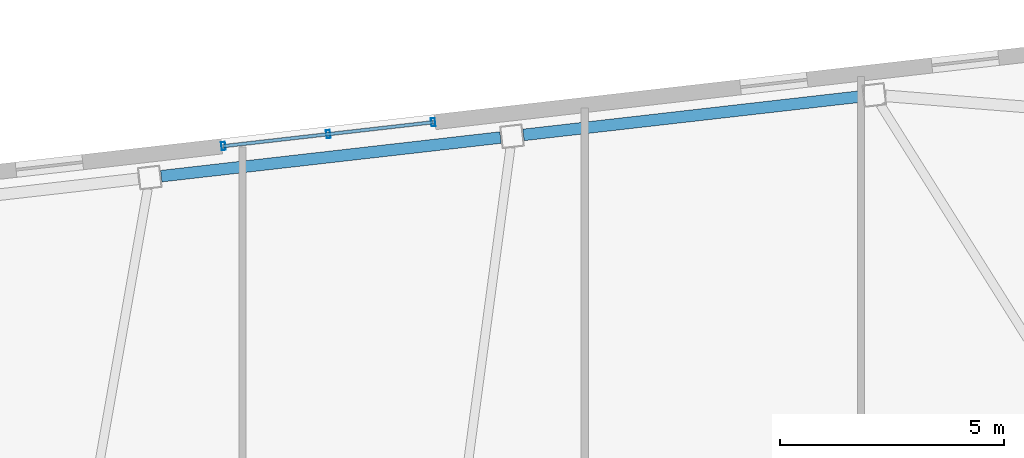
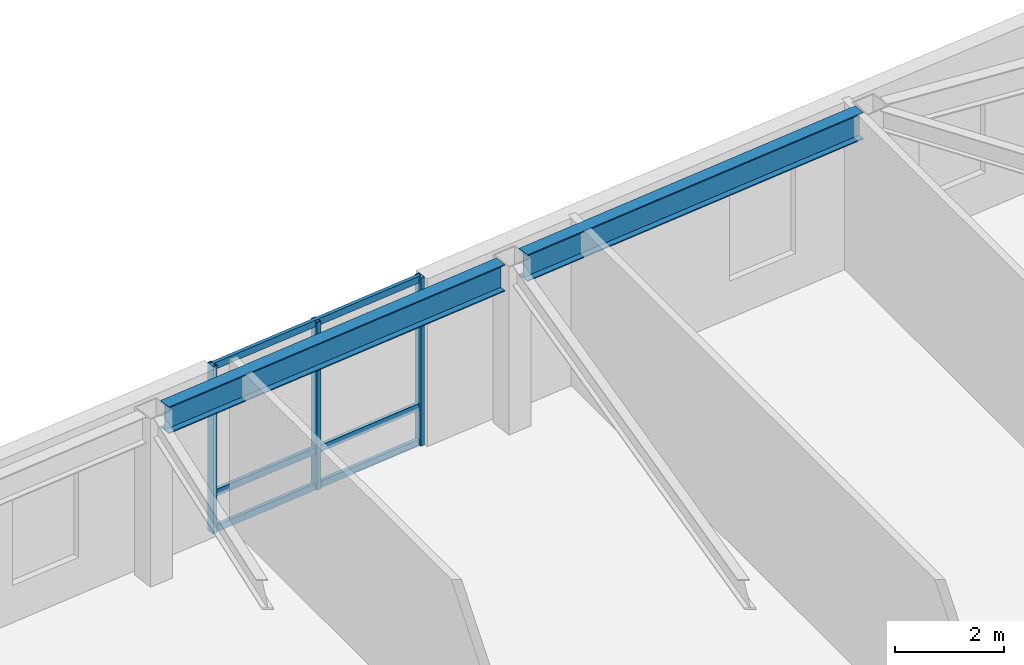
# One storey, part 10 of 19: 6 members, 2 beams, 1 element without a shape of its own.
"""IFC4 building model written with IfcOpenShell, lengths in metres."""

import ifcopenshell
import ifcopenshell.guid

model = None  # the IFC model being written
_history = None  # IfcOwnerHistory: only IFC2X3 demands one
_inside = {}  # id of a spatial element -> (the spatial element, [elements in it])
_under = {}  # id of a project, library or spatial element -> (it, [spatial elements below it])
_declared = {}  # id of a project -> (the project, [libraries it declares])
_typed = {}  # id of a type object -> (the type object, [elements of that type])
_made_of = {}  # id of a material, layer set ... -> (it, [elements and type objects made of it])


def new_model(schema):
    """Start an empty IFC model of exactly this schema.

    Asked for "IFC4X3", IfcOpenShell would pick the latest addendum, in which some entities
    have other attributes; the version numbers below select the first issue.
    IFC2X3 requires an IfcOwnerHistory on every rooted entity: one is made here for all.
    """
    global model, _history
    if schema == "IFC4X3":
        model = ifcopenshell.file(schema_version=(4, 3, 0, 0))
    else:
        model = ifcopenshell.file(schema=schema)
    _inside.clear()
    _under.clear()
    _declared.clear()
    _typed.clear()
    _made_of.clear()
    _history = None
    if model.schema == "IFC2X3":
        org = make("IfcOrganization", Name="unknown")
        user = make(
            "IfcPersonAndOrganization",
            ThePerson=make("IfcPerson", FamilyName="unknown"),
            TheOrganization=org,
        )
        app = make(
            "IfcApplication",
            ApplicationDeveloper=org,
            Version="unknown",
            ApplicationFullName="unknown",
            ApplicationIdentifier="unknown",
        )
        _history = make(
            "IfcOwnerHistory",
            OwningUser=user,
            OwningApplication=app,
            ChangeAction="ADDED",
            CreationDate=0,
        )
    return model


def make(cls, **values):
    """One entity of the class cls with the attributes given. An attribute that is None is left unset."""
    return model.create_entity(
        cls, **{name: value for name, value in values.items() if value is not None}
    )


def rooted(cls, **values):
    """An entity with a GlobalId (a new one), such as an element, a storey or a relation."""
    return make(cls, GlobalId=ifcopenshell.guid.new(), OwnerHistory=_history, **values)


def si_unit(unit_type, name, prefix=None):
    """IfcSIUnit, for example si_unit("LENGTHUNIT", "METRE", prefix="MILLI")."""
    return make("IfcSIUnit", UnitType=unit_type, Prefix=prefix, Name=name)


def assignment(units):
    """IfcUnitAssignment: the units of a project."""
    return None if units is None else make("IfcUnitAssignment", Units=units)


def point(xyz):
    """IfcCartesianPoint."""
    return None if xyz is None else make("IfcCartesianPoint", Coordinates=xyz)


def direction(xyz):
    """IfcDirection."""
    return None if xyz is None else make("IfcDirection", DirectionRatios=xyz)


def frame(location, z_axis=None, x_axis=None):
    """IfcAxis2Placement3D, a coordinate frame: its origin and axes. An axis left out is left unset."""
    return make(
        "IfcAxis2Placement3D",
        Location=point(location),
        Axis=direction(z_axis),
        RefDirection=direction(x_axis),
    )


def frame_2d(location, x_axis=None):
    """IfcAxis2Placement2D, a coordinate frame in the plane: its origin and x axis."""
    return make(
        "IfcAxis2Placement2D", Location=point(location), RefDirection=direction(x_axis)
    )


def origin():
    """The frame at (0, 0, 0) with its axes left unset."""
    return frame((0.0, 0.0, 0.0))


def origin_2d():
    """The frame at (0, 0) in the plane with its x axis left unset."""
    return frame_2d((0.0, 0.0))


def place(relative_to, where):
    """IfcLocalPlacement: puts the frame where relative to a parent placement (None: the world)."""
    return make(
        "IfcLocalPlacement", PlacementRelTo=relative_to, RelativePlacement=where
    )


def context(
    kind, dimensions, precision=None, world=None, true_north=None, identifier=None
):
    """IfcGeometricRepresentationContext, for example the 3D "Model" context."""
    return make(
        "IfcGeometricRepresentationContext",
        ContextIdentifier=identifier,
        ContextType=kind,
        CoordinateSpaceDimension=dimensions,
        Precision=precision,
        WorldCoordinateSystem=world,
        TrueNorth=true_north,
    )


def subcontext(parent, identifier, kind, view, scale=None):
    """IfcGeometricRepresentationSubContext, for example "Body" below "Model"."""
    return make(
        "IfcGeometricRepresentationSubContext",
        ContextIdentifier=identifier,
        ContextType=kind,
        ParentContext=parent,
        TargetScale=scale,
        TargetView=view,
    )


def project(units=None, contexts=None):
    """IfcProject with its units and contexts."""
    return rooted(
        "IfcProject",
        Name="project",
        RepresentationContexts=contexts,
        UnitsInContext=assignment(units),
    )


def spatial(cls, under=None, at=None, **own):
    """A site, building, storey or space (cls), placed at a placement, below another one or the project."""
    s = rooted(cls, ObjectPlacement=at, **own)
    if under is not None:
        _under.setdefault(under.id(), (under, []))[1].append(s)
    return s


def profile(cls, at=None, kind="AREA", **sizes):
    """A parametric profile (cls). Its sizes go by their IFC names, for example OverallWidth=200.0."""
    return make(cls, ProfileType=kind, Position=at, **sizes)


def hollow_rectangle(**sizes):
    """IfcRectangleHollowProfileDef."""
    return profile("IfcRectangleHollowProfileDef", **sizes)


def i_section(**sizes):
    """IfcIShapeProfileDef."""
    return profile("IfcIShapeProfileDef", **sizes)


def extrude(swept, where, along, depth):
    """IfcExtrudedAreaSolid: the profile swept, set in the frame where, extruded along a direction by depth."""
    return make(
        "IfcExtrudedAreaSolid",
        SweptArea=swept,
        Position=where,
        ExtrudedDirection=direction(along),
        Depth=depth,
    )


def shape(context_of_items, identifier, shape_type, items):
    """IfcShapeRepresentation: the items that make up one representation, for example the "Body"."""
    return make(
        "IfcShapeRepresentation",
        ContextOfItems=context_of_items,
        RepresentationIdentifier=identifier,
        RepresentationType=shape_type,
        Items=items,
    )


def material(Name=None, Category=None):
    """IfcMaterial."""
    return make("IfcMaterial", Name=Name, Category=Category)


def layer(
    of_material, thickness, ventilated=None, Name=None, Category=None, Priority=None
):
    """IfcMaterialLayer: one layer of a wall or slab, of a material (None: an air gap)."""
    return make(
        "IfcMaterialLayer",
        Material=of_material,
        LayerThickness=thickness,
        IsVentilated=ventilated,
        Name=Name,
        Category=Category,
        Priority=Priority,
    )


def layer_set(layers, Name=None):
    """IfcMaterialLayerSet."""
    return make("IfcMaterialLayerSet", MaterialLayers=layers, LayerSetName=Name)


def material_profile(
    of_material, cross_section, Name=None, Category=None, Priority=None
):
    """IfcMaterialProfile: a cross section and its material."""
    return make(
        "IfcMaterialProfile",
        Name=Name,
        Material=of_material,
        Profile=cross_section,
        Priority=Priority,
        Category=Category,
    )


def profile_set(profiles, Name=None, composite=None):
    """IfcMaterialProfileSet."""
    return make(
        "IfcMaterialProfileSet",
        Name=Name,
        MaterialProfiles=profiles,
        CompositeProfile=composite,
    )


def made_of(thing, what):
    """Note that an element or type object is made of a material, layer set ...; save() writes the relation."""
    if what is not None:
        _made_of.setdefault(what.id(), (what, []))[1].append(thing)
    return thing


def type_object(cls, material=None, **own):
    """A type object (cls), such as IfcWallType, which elements share."""
    return made_of(rooted(cls, **own), material)


def element(
    cls,
    number,
    at=None,
    inside=None,
    cuts=None,
    type_object=None,
    material=None,
    context=None,
    identifier="Body",
    shape_type=None,
    held_by="IfcProductDefinitionShape",
    body=None,
    shapes=None,
    **own,
):
    """One element of the class cls, such as IfcWall. Its Tag is "e" and its number.

    at: its placement. inside: the storey or other place that contains it. cuts: it is an
    opening in that element (IfcRelVoidsElement). A single representation is given by context,
    identifier, shape_type and body (its items); several are given by shapes. held_by: the class
    of the entity that holds the representations. save() writes the other relations.
    """
    e = rooted(cls, Tag="e%d" % number, ObjectPlacement=at, **own)
    if body is not None:
        shapes = [shape(context, identifier, shape_type, body)]
    if shapes is not None:
        e.Representation = make(held_by, Representations=shapes)
    if inside is not None:
        _inside.setdefault(inside.id(), (inside, []))[1].append(e)
    if cuts is not None:
        rooted(
            "IfcRelVoidsElement", RelatingBuildingElement=cuts, RelatedOpeningElement=e
        )
    if type_object is not None:
        _typed.setdefault(type_object.id(), (type_object, []))[1].append(e)
    return made_of(e, material)


def aggregate(whole, parts):
    """IfcRelAggregates: a whole, such as a stair, and the parts it consists of."""
    return rooted("IfcRelAggregates", RelatingObject=whole, RelatedObjects=parts)


def save(model, path):
    """Write the relations noted so far, then the file.

    IfcRelAggregates (storeys below a building ...), IfcRelContainedInSpatialStructure (elements
    in a storey), IfcRelDefinesByType, IfcRelAssociatesMaterial and IfcRelDeclares: one each for
    every whole, place, type object, material and project.
    """
    for whole, parts in _under.values():
        aggregate(whole, parts)
    for where, things in _inside.values():
        rooted(
            "IfcRelContainedInSpatialStructure",
            RelatedElements=things,
            RelatingStructure=where,
        )
    for kind, things in _typed.values():
        rooted("IfcRelDefinesByType", RelatedObjects=things, RelatingType=kind)
    for what, things in _made_of.values():
        rooted("IfcRelAssociatesMaterial", RelatedObjects=things, RelatingMaterial=what)
    for by, libraries in _declared.values():
        rooted("IfcRelDeclares", RelatingContext=by, RelatedDefinitions=libraries)
    model.write(path)


model = new_model("IFC4")

# Units and contexts
model_context = context("Model", 3, precision=1e-05, world=origin(), true_north=direction((0.0, 1.0)))
body_context = subcontext(model_context, "Body", "Model", "MODEL_VIEW")
ifc_project = project(units=[si_unit("LENGTHUNIT", "METRE"), si_unit("AREAUNIT", "SQUARE_METRE"), si_unit("VOLUMEUNIT", "CUBIC_METRE"), si_unit("PLANEANGLEUNIT", "RADIAN"), si_unit("MASSUNIT", "GRAM", prefix="KILO")], contexts=[model_context])

# Site, building, storey
site_placement = place(None, origin())
site = spatial("IfcSite", under=ifc_project, at=site_placement, CompositionType="ELEMENT")
building_placement = place(site_placement, origin())
building = spatial("IfcBuilding", under=site, at=building_placement, Name="Tavrogorsk Clinical Tower", CompositionType="ELEMENT")
storey_placement = place(building_placement, frame((0.0, 0.0, 255.0)))
storey = spatial("IfcBuildingStorey", under=building, at=storey_placement, Name="L59", CompositionType="ELEMENT", Elevation=255.0)

# Curtain wall, members
ifc_material_1 = material(Name="Anodised aluminium and triple IGU glazing", Category="aluminium")
ifc_layer = layer(ifc_material_1, 0.179931640625)
ifc_layer_set = layer_set([ifc_layer], Name="Anodised aluminium and triple IGU glazing")
curtain_wall_type = type_object("IfcCurtainWallType", Name="CW2_NorthSlot", PredefinedType="NOTDEFINED", material=ifc_layer_set)
curtain_wall_placement = place(storey_placement, origin())
curtain_wall = element("IfcCurtainWall", 1, at=curtain_wall_placement, inside=storey, type_object=curtain_wall_type, Name="L59 Curtain Wall CW-L59-N-SLOT-2", PredefinedType="NOTDEFINED")
ifc_material_2 = material(Name="Anodised aluminium alloy AW-6060", Category="aluminium")
ifc_material_profile_1 = material_profile(ifc_material_2, hollow_rectangle(XDim=0.090087890625, YDim=0.179931640625, WallThickness=0.00634765625, at=origin_2d()), Name="RHS-180x90x6.3")
ifc_profile_set_1 = profile_set([ifc_material_profile_1], Name="Anodised aluminium alloy AW-6060")
member_type_1 = type_object("IfcMemberType", Name="CwMullion_180x90", PredefinedType="MULLION", material=ifc_profile_set_1)
member_1_placement = place(storey_placement, frame((5.410400390625, 27.270263671875, 0.0), z_axis=(0.0, 0.0, 1.0), x_axis=(-0.993571855603, -0.11320321441, 0.0)))
member_1 = element("IfcMember", 2, at=member_1_placement, type_object=member_type_1, Name="CW-L59-N-SLOT-2 Mullion 1", PredefinedType="MULLION", context=body_context, shape_type="SweptSolid", body=[
    extrude(hollow_rectangle(XDim=0.090087890625, YDim=0.179931640625, WallThickness=0.00634765625, at=origin_2d()), origin(), (0.0, 0.0, 1.0), 3.739990234375),
])
member_2_placement = place(storey_placement, frame((3.06640625, 27.003173828125, 0.0), z_axis=(0.0, 0.0, 1.0), x_axis=(-0.993571855603, -0.11320321441, 0.0)))
member_2 = element("IfcMember", 3, at=member_2_placement, type_object=member_type_1, Name="CW-L59-N-SLOT-2 Mullion 2", PredefinedType="MULLION", context=body_context, shape_type="SweptSolid", body=[
    extrude(hollow_rectangle(XDim=0.090087890625, YDim=0.179931640625, WallThickness=0.00634765625, at=origin_2d()), origin(), (0.0, 0.0, 1.0), 3.739990234375),
])
member_3_placement = place(storey_placement, frame((0.72265625, 26.736083984375, 0.0), z_axis=(0.0, 0.0, 1.0), x_axis=(-0.993571855603, -0.11320321441, 0.0)))
member_3 = element("IfcMember", 4, at=member_3_placement, type_object=member_type_1, Name="CW-L59-N-SLOT-2 Mullion 3", PredefinedType="MULLION", context=body_context, shape_type="SweptSolid", body=[
    extrude(hollow_rectangle(XDim=0.090087890625, YDim=0.179931640625, WallThickness=0.00634765625, at=origin_2d()), origin(), (0.0, 0.0, 1.0), 3.739990234375),
])
ifc_material_3 = material(Name="Anodised aluminium alloy AW-6060", Category="aluminium")
ifc_material_profile_2 = material_profile(ifc_material_3, hollow_rectangle(XDim=0.074951171875, YDim=0.14990234375, WallThickness=0.0048828125, at=origin_2d()), Name="RHS-150x75x5")
ifc_profile_set_2 = profile_set([ifc_material_profile_2], Name="Anodised aluminium alloy AW-6060")
member_type_2 = type_object("IfcMemberType", Name="CwTransom_150x75", PredefinedType="USERDEFINED", material=ifc_profile_set_2)
member_4_placement = place(storey_placement, frame((5.410400390625, 27.270263671875, 0.050048828125), z_axis=(-0.993569979218, -0.113219682023, 0.0), x_axis=(0.113219682023, -0.993569979218, 0.0)))
member_4 = element("IfcMember", 5, at=member_4_placement, type_object=member_type_2, Name="CW-L59-N-SLOT-2 Transom 1", ObjectType="TRANSOM", PredefinedType="USERDEFINED", context=body_context, shape_type="SweptSolid", body=[
    extrude(hollow_rectangle(XDim=0.074951171875, YDim=0.14990234375, WallThickness=0.0048828125, at=origin_2d()), origin(), (0.0, 0.0, 1.0), 4.718017578125),
])
member_5_placement = place(storey_placement, frame((5.410400390625, 27.270263671875, 0.85009765625), z_axis=(-0.993569979218, -0.113219682023, 0.0), x_axis=(0.113219682023, -0.993569979218, 0.0)))
member_5 = element("IfcMember", 6, at=member_5_placement, type_object=member_type_2, Name="CW-L59-N-SLOT-2 Transom 2", ObjectType="TRANSOM", PredefinedType="USERDEFINED", context=body_context, shape_type="SweptSolid", body=[
    extrude(hollow_rectangle(XDim=0.074951171875, YDim=0.14990234375, WallThickness=0.0048828125, at=origin_2d()), origin(), (0.0, 0.0, 1.0), 4.718017578125),
])
member_6_placement = place(storey_placement, frame((5.410400390625, 27.270263671875, 3.68994140625), z_axis=(-0.993569979218, -0.113219682023, 0.0), x_axis=(0.113219682023, -0.993569979218, 0.0)))
member_6 = element("IfcMember", 7, at=member_6_placement, type_object=member_type_2, Name="CW-L59-N-SLOT-2 Transom 3", ObjectType="TRANSOM", PredefinedType="USERDEFINED", context=body_context, shape_type="SweptSolid", body=[
    extrude(hollow_rectangle(XDim=0.074951171875, YDim=0.14990234375, WallThickness=0.0048828125, at=origin_2d()), origin(), (0.0, 0.0, 1.0), 4.718017578125),
])
aggregate(curtain_wall, [member_1, member_2, member_3, member_4, member_5, member_6])

# Beams
ifc_material_4 = material(Name="Structural steel S390", Category="steel")
ifc_material_profile_3 = material_profile(ifc_material_4, i_section(OverallWidth=0.260009765625, OverallDepth=0.60009765625, WebThickness=0.014892578125, FlangeThickness=0.02392578125, at=origin_2d()), Name="B-600x260x15x24")
ifc_profile_set_3 = profile_set([ifc_material_profile_3], Name="Structural steel S390")
beam_type = type_object("IfcBeamType", Name="SpandrelBeam_B600", PredefinedType="SPANDREL", material=ifc_profile_set_3)
for number, where, z_axis, x_axis, name in (
    (8, (15.01220703125, 27.850830078125, 3.43994140625), (-0.993572099834, -0.113201070804, 0.0), (0.113201070804, -0.993572099834, 0.0), "L59 Perimeter Spandrel N2-N3"),
    (9, (6.916015625, 26.928466796875, 3.43994140625), (-0.993572099834, -0.113201070804, 0.0), (0.113201070804, -0.993572099834, 0.0), "L59 Perimeter Spandrel N3-N4"),
):
    element("IfcBeam", number, at=place(storey_placement, frame(where, z_axis=z_axis, x_axis=x_axis)), inside=storey, type_object=beam_type, Name=name, PredefinedType="SPANDREL", context=body_context, shape_type="SweptSolid", body=[
        extrude(i_section(OverallWidth=0.260009765625, OverallDepth=0.60009765625, WebThickness=0.014892578125, FlangeThickness=0.02392578125, at=origin_2d()), origin(), (0.0, 0.0, 1.0), 7.632568359375),
    ])

save(model, "model.ifc")
